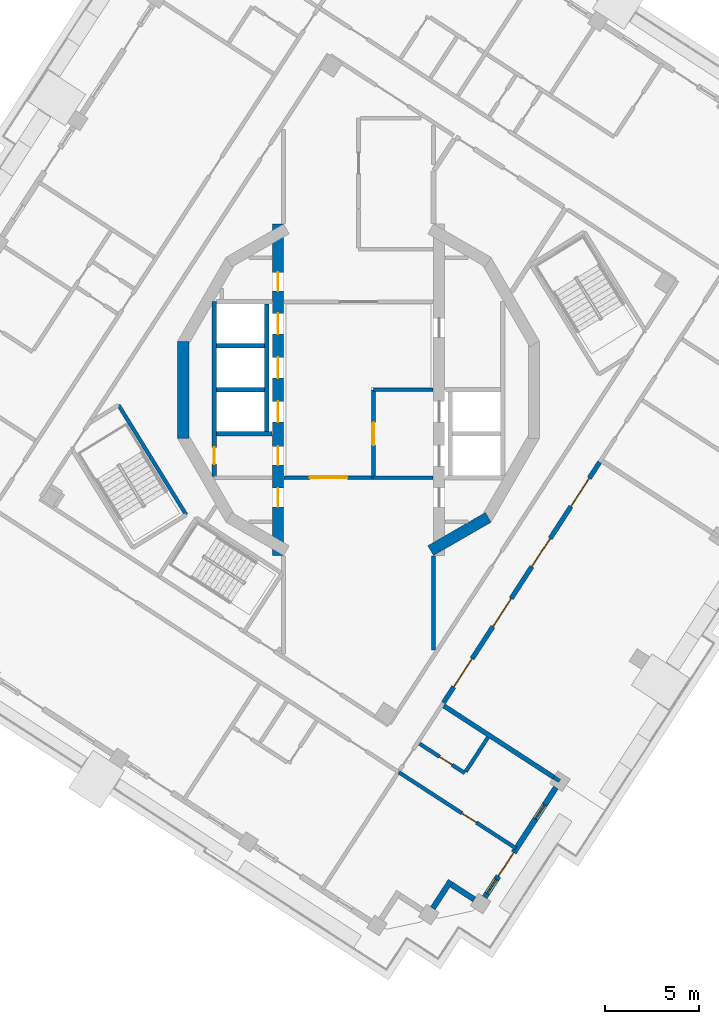
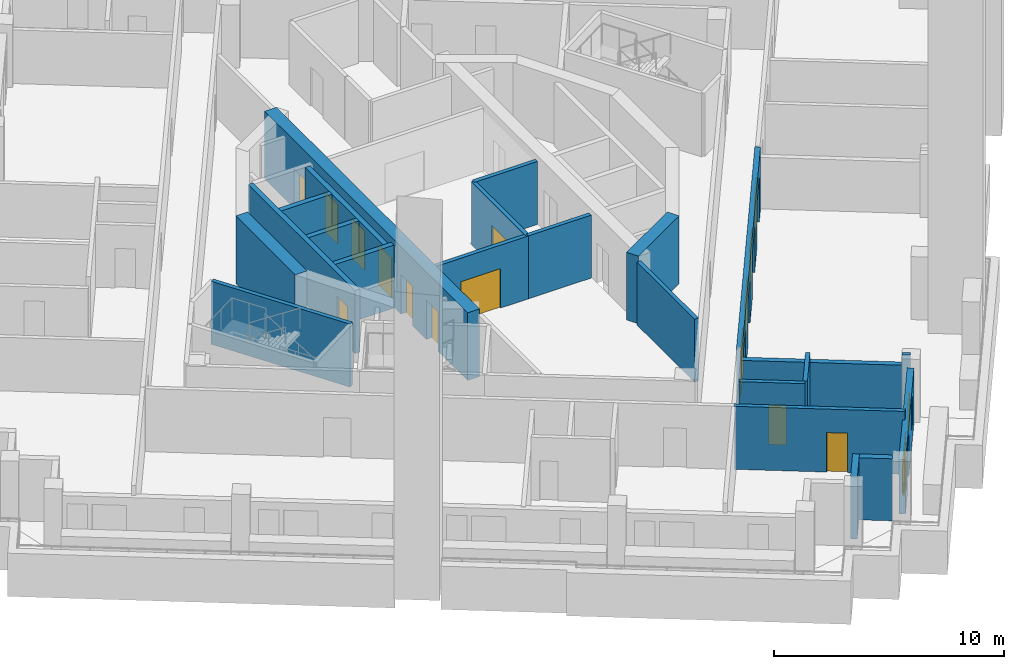
# One storey, part 4 of 15: 23 walls, 16 doors, 2 windows, 18 openings.
"""IFC4 building model written with IfcOpenShell, lengths in metres."""

from ifc_helpers import new_model, si_unit, direction, frame, frame_2d, origin, place, context, subcontext, project, spatial, rectangle, extrude, material, layer, layer_set, type_object, element, fill, save


model = new_model("IFC4")

# Units and contexts
model_context = context("Model", 3, precision=1e-05, world=origin(), true_north=direction((0.0, 1.0)))
body_context = subcontext(model_context, "Body", "Model", "MODEL_VIEW")
ifc_project = project(units=[si_unit("LENGTHUNIT", "METRE"), si_unit("AREAUNIT", "SQUARE_METRE"), si_unit("VOLUMEUNIT", "CUBIC_METRE"), si_unit("PLANEANGLEUNIT", "RADIAN"), si_unit("MASSUNIT", "GRAM", prefix="KILO")], contexts=[model_context])

# Site, building, storey
site_placement = place(None, origin())
site = spatial("IfcSite", under=ifc_project, at=site_placement, CompositionType="ELEMENT")
building_placement = place(site_placement, origin())
building = spatial("IfcBuilding", under=site, at=building_placement, Name="Cantera Rosa Tower", CompositionType="ELEMENT")
storey_placement = place(building_placement, frame((0.0, 0.0, 250.5)))
storey = spatial("IfcBuildingStorey", under=building, at=storey_placement, Name="L55", CompositionType="ELEMENT", Elevation=250.5)

# Wall, opening, door
ifc_material_1 = material(Name="Gypsum board partition")
ifc_layer_1 = layer(ifc_material_1, 0.199951171875)
ifc_layer_set_1 = layer_set([ifc_layer_1], Name="CORRIDOR WALL 200 H3350")
wall_type_1 = type_object("IfcWallType", Name="CORRIDOR WALL 200 H3350", PredefinedType="PARTITIONING", material=ifc_layer_set_1)
wall_1_placement = place(storey_placement, frame((0.800048828125, -4.699951171875, 0.0), z_axis=(0.0, 0.0, 1.0), x_axis=(-1.0, 0.0, 0.0)))
wall_1 = element("IfcWall", 1, at=wall_1_placement, inside=storey, type_object=wall_type_1, Name="CORRIDOR WALL L55-054", PredefinedType="PARTITIONING", context=body_context, shape_type="SweptSolid", body=[
    extrude(rectangle(XDim=4.77001953125, YDim=0.199951171875, at=frame_2d((2.385009765625, 0.0))), origin(), (0.0, 0.0, 1.0), 3.35009765625),
])
opening_1_placement = place(wall_1_placement, frame((1.39990234375, 0.0, 0.0)))
opening_1 = element("IfcOpeningElement", 2, at=opening_1_placement, cuts=wall_1, Name="Opening L55-011", PredefinedType="OPENING", context=body_context, shape_type="SweptSolid", body=[
    extrude(rectangle(XDim=2.0, YDim=2.10009765625, at=frame_2d((1.0, 1.050048828125))), frame((0.0, 0.10986328125, 0.0), z_axis=(0.0, -1.0, 0.0), x_axis=(1.0, 0.0, 0.0)), (0.0, 0.0, 1.0), 0.219970703125),
])
ifc_material_2 = material(Name="Steel S355J2 (EN 10025-2)", Category="steel")
door_type_1 = type_object("IfcDoorType", Name="LOBBY SCREEN DOOR 2000x2100", OperationType="NOTDEFINED", PredefinedType="DOOR", material=ifc_material_2)
door_1_placement = place(opening_1_placement, origin())
door_1 = element("IfcDoor", 3, at=door_1_placement, inside=storey, type_object=door_type_1, Name="DOOR L55-011", OperationType="NOTDEFINED", OverallHeight=2.10009765625, OverallWidth=2.0, PredefinedType="DOOR", context=body_context, shape_type="SweptSolid", body=[
    extrude(rectangle(XDim=2.0, YDim=2.10009765625, at=frame_2d((1.0, 1.050048828125))), frame((0.0, 0.02490234375, 0.0), z_axis=(0.0, -1.0, 0.0), x_axis=(1.0, 0.0, 0.0)), (0.0, 0.0, 1.0), 0.050048828125),
])
fill(opening_1, door_1)

# Walls
wall_2_placement = place(storey_placement, frame((4.0, -13.90087890625, 0.0), z_axis=(0.0, 0.0, 1.0), x_axis=(0.0, 1.0, 0.0)))
element("IfcWall", 4, at=wall_2_placement, inside=storey, type_object=wall_type_1, Name="CORRIDOR WALL L55-066", PredefinedType="PARTITIONING", context=body_context, shape_type="SweptSolid", body=[
    extrude(rectangle(XDim=5.02197265625, YDim=0.199951171875, at=frame_2d((2.510986328125, 0.0))), origin(), (0.0, 0.0, 1.0), 3.35009765625),
])
ifc_material_3 = material(Name="Hollow clay masonry with cantera stone cladding", Category="masonry")
ifc_layer_2 = layer(ifc_material_3, 0.300048828125)
ifc_layer_set_2 = layer_set([ifc_layer_2], Name="EW-LOGGIA 300")
wall_type_2 = type_object("IfcWallType", Name="EW-LOGGIA 300", PredefinedType="SOLIDWALL", material=ifc_layer_set_2)
wall_3_placement = place(storey_placement, frame((3.966796875, -27.67529296875, 0.0), z_axis=(0.0, 0.0, 1.0), x_axis=(0.544679362749, 0.83864437743, 0.0)))
element("IfcWall", 5, at=wall_3_placement, inside=storey, type_object=wall_type_2, Name="EN-L55-W19a", PredefinedType="SOLIDWALL", context=body_context, shape_type="SweptSolid", body=[
    extrude(rectangle(XDim=1.75, YDim=0.300048828125, at=frame_2d((0.875, 0.0))), origin(), (0.0, 0.0, 1.0), 3.300048828125),
])
wall_4_placement = place(storey_placement, frame((4.964111328125, -26.415283203125, 0.0), z_axis=(0.0, 0.0, 1.0), x_axis=(0.838724343483, -0.544556218997, 0.0)))
element("IfcWall", 6, at=wall_4_placement, inside=storey, type_object=wall_type_2, Name="EN-L55-W19b", PredefinedType="SOLIDWALL", context=body_context, shape_type="SweptSolid", body=[
    extrude(rectangle(XDim=1.449951171875, YDim=0.300048828125, at=frame_2d((0.72509765625, 0.0))), origin(), (0.0, 0.0, 1.0), 3.300048828125),
])

# Wall, openings, windows, door
ifc_material_4 = material(Name="Hollow clay masonry with cantera stone cladding", Category="masonry")
ifc_layer_3 = layer(ifc_material_4, 0.300048828125)
ifc_layer_set_3 = layer_set([ifc_layer_3], Name="EW-LOGGIA 300 H2890")
wall_type_3 = type_object("IfcWallType", Name="EW-LOGGIA 300 H2890", PredefinedType="SOLIDWALL", material=ifc_layer_set_3)
wall_5_placement = place(storey_placement, frame((6.7333984375, -27.08740234375, 0.0), z_axis=(0.0, 0.0, 1.0), x_axis=(0.544651451949, 0.838662504164, 0.0)))
wall_5 = element("IfcWall", 7, at=wall_5_placement, inside=storey, type_object=wall_type_3, Name="EN-L55-W20", PredefinedType="SOLIDWALL", context=body_context, shape_type="SweptSolid", body=[
    extrude(rectangle(XDim=6.980224609375, YDim=0.300048828125, at=frame_2d((3.490234375, 0.0))), origin(), (0.0, 0.0, 1.0), 2.889892578125),
])
opening_2_placement = place(wall_5_placement, frame((0.2451171875, 0.0, 0.89990234375)))
opening_2 = element("IfcOpeningElement", 8, at=opening_2_placement, cuts=wall_5, Name="Opening L55-W40", PredefinedType="OPENING", context=body_context, shape_type="SweptSolid", body=[
    extrude(rectangle(XDim=0.89990234375, YDim=1.5, at=frame_2d((0.449951171875, 0.75))), frame((0.0, 0.159912109375, 0.0), z_axis=(0.0, -1.0, 0.0), x_axis=(1.0, 0.0, 0.0)), (0.0, 0.0, 1.0), 0.320068359375),
])
opening_3_placement = place(wall_5_placement, frame((1.344970703125, 0.0, 0.0)))
opening_3 = element("IfcOpeningElement", 9, at=opening_3_placement, cuts=wall_5, Name="Opening L55-TD41", PredefinedType="OPENING", context=body_context, shape_type="SweptSolid", body=[
    extrude(rectangle(XDim=1.5, YDim=2.39990234375, at=frame_2d((0.75, 1.199951171875))), frame((0.0, 0.159912109375, 0.0), z_axis=(0.0, -1.0, 0.0), x_axis=(1.0, 0.0, 0.0)), (0.0, 0.0, 1.0), 0.320068359375),
])
opening_4_placement = place(wall_5_placement, frame((4.985107421875, 0.0, 0.89990234375)))
opening_4 = element("IfcOpeningElement", 10, at=opening_4_placement, cuts=wall_5, Name="Opening L55-W42", PredefinedType="OPENING", context=body_context, shape_type="SweptSolid", body=[
    extrude(rectangle(XDim=0.89990234375, YDim=1.5, at=frame_2d((0.449951171875, 0.75))), frame((0.0, 0.159912109375, 0.0), z_axis=(0.0, -1.0, 0.0), x_axis=(1.0, 0.0, 0.0)), (0.0, 0.0, 1.0), 0.320068359375),
])
ifc_material_5 = material(Name="Aluminium frame with clear glass", Category="aluminium")
window_type = type_object("IfcWindowType", Name="Residential window 900x1500", PartitioningType="SINGLE_PANEL", PredefinedType="WINDOW", material=ifc_material_5)
window_1_placement = place(opening_2_placement, origin())
window_1 = element("IfcWindow", 11, at=window_1_placement, inside=storey, type_object=window_type, Name="WINDOW L55-W40", OverallHeight=1.5, OverallWidth=0.89990234375, PartitioningType="SINGLE_PANEL", PredefinedType="WINDOW", context=body_context, shape_type="SweptSolid", body=[
    extrude(rectangle(XDim=0.89990234375, YDim=1.5, at=frame_2d((0.449951171875, 0.75))), frame((0.0, 0.030029296875, 0.0), z_axis=(0.0, -1.0, 0.0), x_axis=(1.0, 0.0, 0.0)), (0.0, 0.0, 1.0), 0.06005859375),
])
fill(opening_2, window_1)
window_2_placement = place(opening_4_placement, origin())
window_2 = element("IfcWindow", 12, at=window_2_placement, inside=storey, type_object=window_type, Name="WINDOW L55-W42", OverallHeight=1.5, OverallWidth=0.89990234375, PartitioningType="SINGLE_PANEL", PredefinedType="WINDOW", context=body_context, shape_type="SweptSolid", body=[
    extrude(rectangle(XDim=0.89990234375, YDim=1.5, at=frame_2d((0.449951171875, 0.75))), frame((0.0, 0.030029296875, 0.0), z_axis=(0.0, -1.0, 0.0), x_axis=(1.0, 0.0, 0.0)), (0.0, 0.0, 1.0), 0.06005859375),
])
fill(opening_4, window_2)
ifc_material_6 = material(Name="Aluminium frame with clear glass", Category="aluminium")
door_type_2 = type_object("IfcDoorType", Name="TD-R 1500x2400", OperationType="NOTDEFINED", PredefinedType="DOOR", material=ifc_material_6)
door_2_placement = place(opening_3_placement, origin())
door_2 = element("IfcDoor", 13, at=door_2_placement, inside=storey, type_object=door_type_2, Name="LOGGIA DOOR L55-TD41", OperationType="SLIDING_TO_LEFT", OverallHeight=2.39990234375, OverallWidth=1.5, PredefinedType="DOOR", context=body_context, shape_type="SweptSolid", body=[
    extrude(rectangle(XDim=1.5, YDim=2.39990234375, at=frame_2d((0.75, 1.199951171875))), frame((0.0, 0.02490234375, 0.0), z_axis=(0.0, -1.0, 0.0), x_axis=(1.0, 0.0, 0.0)), (0.0, 0.0, 1.0), 0.050048828125),
])
fill(opening_3, door_2)

# Wall
ifc_material_7 = material(Name="Concrete C40/50", Category="concrete")
ifc_layer_4 = layer(ifc_material_7, 0.25)
ifc_layer_set_4 = layer_set([ifc_layer_4], Name="EW-POCKET CHEEK 250 H2820")
wall_type_4 = type_object("IfcWallType", Name="EW-POCKET CHEEK 250 H2820", PredefinedType="SOLIDWALL", material=ifc_layer_set_4)
wall_6_placement = place(storey_placement, frame((10.41748046875, -20.68017578125, 0.0), z_axis=(0.0, 0.0, 1.0), x_axis=(-0.838665071449, 0.544647498784, 0.0)))
element("IfcWall", 14, at=wall_6_placement, inside=storey, type_object=wall_type_4, Name="POCKET CHEEK A L55", PredefinedType="SOLIDWALL", context=body_context, shape_type="SweptSolid", body=[
    extrude(rectangle(XDim=7.0, YDim=0.25, at=frame_2d((3.5, 0.0))), origin(), (0.0, 0.0, 1.0), 2.820068359375),
])

# Wall, openings, doors
ifc_material_8 = material(Name="Hollow clay masonry with cantera stone cladding", Category="masonry")
ifc_layer_5 = layer(ifc_material_8, 0.25)
ifc_layer_set_5 = layer_set([ifc_layer_5], Name="EW-POCKET REAR 250")
wall_type_5 = type_object("IfcWallType", Name="EW-POCKET REAR 250", PredefinedType="SOLIDWALL", material=ifc_layer_set_5)
wall_7_placement = place(storey_placement, frame((4.531005859375, -16.708251953125, 0.0), z_axis=(0.0, 0.0, 1.0), x_axis=(0.544635742494, 0.838672706125, 0.0)))
wall_7 = element("IfcWall", 15, at=wall_7_placement, inside=storey, type_object=wall_type_5, Name="POCKET REAR L55", PredefinedType="SOLIDWALL", context=body_context, shape_type="SweptSolid", body=[
    extrude(rectangle(XDim=15.31005859375, YDim=0.25, at=frame_2d((7.655029296875, 0.0))), origin(), (0.0, 0.0, 1.0), 3.300048828125),
])
opening_5_placement = place(wall_7_placement, frame((1.013671875, 0.0, 0.0)))
opening_5 = element("IfcOpeningElement", 16, at=opening_5_placement, cuts=wall_7, Name="Opening L55-LT01", PredefinedType="OPENING", context=body_context, shape_type="SweptSolid", body=[
    extrude(rectangle(XDim=1.800048828125, YDim=2.39990234375, at=frame_2d((0.89990234375, 1.199951171875))), frame((0.0, 0.135009765625, 0.0), z_axis=(0.0, -1.0, 0.0), x_axis=(1.0, 0.0, 0.0)), (0.0, 0.0, 1.0), 0.27001953125),
])
opening_6_placement = place(wall_7_placement, frame((4.84130859375, 0.0, 0.0)))
opening_6 = element("IfcOpeningElement", 17, at=opening_6_placement, cuts=wall_7, Name="Opening L55-LT02", PredefinedType="OPENING", context=body_context, shape_type="SweptSolid", body=[
    extrude(rectangle(XDim=1.800048828125, YDim=2.39990234375, at=frame_2d((0.89990234375, 1.199951171875))), frame((0.0, 0.135009765625, 0.0), z_axis=(0.0, -1.0, 0.0), x_axis=(1.0, 0.0, 0.0)), (0.0, 0.0, 1.0), 0.27001953125),
])
opening_7_placement = place(wall_7_placement, frame((8.668701171875, 0.0, 0.0)))
opening_7 = element("IfcOpeningElement", 18, at=opening_7_placement, cuts=wall_7, Name="Opening L55-LT03", PredefinedType="OPENING", context=body_context, shape_type="SweptSolid", body=[
    extrude(rectangle(XDim=1.800048828125, YDim=2.39990234375, at=frame_2d((0.89990234375, 1.199951171875))), frame((0.0, 0.135009765625, 0.0), z_axis=(0.0, -1.0, 0.0), x_axis=(1.0, 0.0, 0.0)), (0.0, 0.0, 1.0), 0.27001953125),
])
opening_8_placement = place(wall_7_placement, frame((12.496337890625, 0.0, 0.0)))
opening_8 = element("IfcOpeningElement", 19, at=opening_8_placement, cuts=wall_7, Name="Opening L55-LT04", PredefinedType="OPENING", context=body_context, shape_type="SweptSolid", body=[
    extrude(rectangle(XDim=1.800048828125, YDim=2.39990234375, at=frame_2d((0.89990234375, 1.199951171875))), frame((0.0, 0.135009765625, 0.0), z_axis=(0.0, -1.0, 0.0), x_axis=(1.0, 0.0, 0.0)), (0.0, 0.0, 1.0), 0.27001953125),
])
ifc_material_9 = material(Name="Aluminium frame with clear glass", Category="aluminium")
door_type_3 = type_object("IfcDoorType", Name="TD-T 1800x2400", OperationType="NOTDEFINED", PredefinedType="DOOR", material=ifc_material_9)
door_3_placement = place(opening_5_placement, origin())
door_3 = element("IfcDoor", 20, at=door_3_placement, inside=storey, type_object=door_type_3, Name="TERRACE DOOR L55-LT01", OperationType="DOUBLE_DOOR_SINGLE_SWING", OverallHeight=2.39990234375, OverallWidth=1.800048828125, PredefinedType="DOOR", context=body_context, shape_type="SweptSolid", body=[
    extrude(rectangle(XDim=1.800048828125, YDim=2.39990234375, at=frame_2d((0.89990234375, 1.199951171875))), frame((0.0, 0.02490234375, 0.0), z_axis=(0.0, -1.0, 0.0), x_axis=(1.0, 0.0, 0.0)), (0.0, 0.0, 1.0), 0.050048828125),
])
fill(opening_5, door_3)
door_4_placement = place(opening_6_placement, origin())
door_4 = element("IfcDoor", 21, at=door_4_placement, inside=storey, type_object=door_type_3, Name="TERRACE DOOR L55-LT02", OperationType="DOUBLE_DOOR_SINGLE_SWING", OverallHeight=2.39990234375, OverallWidth=1.800048828125, PredefinedType="DOOR", context=body_context, shape_type="SweptSolid", body=[
    extrude(rectangle(XDim=1.800048828125, YDim=2.39990234375, at=frame_2d((0.89990234375, 1.199951171875))), frame((0.0, 0.02490234375, 0.0), z_axis=(0.0, -1.0, 0.0), x_axis=(1.0, 0.0, 0.0)), (0.0, 0.0, 1.0), 0.050048828125),
])
fill(opening_6, door_4)
door_5_placement = place(opening_7_placement, origin())
door_5 = element("IfcDoor", 22, at=door_5_placement, inside=storey, type_object=door_type_3, Name="TERRACE DOOR L55-LT03", OperationType="DOUBLE_DOOR_SINGLE_SWING", OverallHeight=2.39990234375, OverallWidth=1.800048828125, PredefinedType="DOOR", context=body_context, shape_type="SweptSolid", body=[
    extrude(rectangle(XDim=1.800048828125, YDim=2.39990234375, at=frame_2d((0.89990234375, 1.199951171875))), frame((0.0, 0.02490234375, 0.0), z_axis=(0.0, -1.0, 0.0), x_axis=(1.0, 0.0, 0.0)), (0.0, 0.0, 1.0), 0.050048828125),
])
fill(opening_7, door_5)
door_6_placement = place(opening_8_placement, origin())
door_6 = element("IfcDoor", 23, at=door_6_placement, inside=storey, type_object=door_type_3, Name="TERRACE DOOR L55-LT04", OperationType="DOUBLE_DOOR_SINGLE_SWING", OverallHeight=2.39990234375, OverallWidth=1.800048828125, PredefinedType="DOOR", context=body_context, shape_type="SweptSolid", body=[
    extrude(rectangle(XDim=1.800048828125, YDim=2.39990234375, at=frame_2d((0.89990234375, 1.199951171875))), frame((0.0, 0.02490234375, 0.0), z_axis=(0.0, -1.0, 0.0), x_axis=(1.0, 0.0, 0.0)), (0.0, 0.0, 1.0), 0.050048828125),
])
fill(opening_8, door_6)

# Wall, opening, door
ifc_material_10 = material(Name="Gypsum board partition")
ifc_layer_6 = layer(ifc_material_10, 0.199951171875)
ifc_layer_set_6 = layer_set([ifc_layer_6], Name="PARTITION 200 H3350")
wall_type_6 = type_object("IfcWallType", Name="PARTITION 200 H3350", PredefinedType="PARTITIONING", material=ifc_layer_set_6)
wall_8_placement = place(storey_placement, frame((2.148681640625, -20.41357421875, 0.0), z_axis=(0.0, 0.0, 1.0), x_axis=(0.83866516607, -0.544647353083, 0.0)))
wall_8 = element("IfcWall", 24, at=wall_8_placement, inside=storey, type_object=wall_type_6, Name="PARTITION L55-058", PredefinedType="PARTITIONING", context=body_context, shape_type="SweptSolid", body=[
    extrude(rectangle(XDim=7.449951171875, YDim=0.199951171875, at=frame_2d((3.72509765625, 0.0))), origin(), (0.0, 0.0, 1.0), 3.35009765625),
])
opening_9_placement = place(wall_8_placement, frame((4.030029296875, 0.0, 0.0)))
opening_9 = element("IfcOpeningElement", 25, at=opening_9_placement, cuts=wall_8, Name="Opening L55-045", PredefinedType="OPENING", context=body_context, shape_type="SweptSolid", body=[
    extrude(rectangle(XDim=0.89990234375, YDim=2.10009765625, at=frame_2d((0.449951171875, 1.050048828125))), frame((0.0, 0.10986328125, 0.0), z_axis=(0.0, -1.0, 0.0), x_axis=(1.0, 0.0, 0.0)), (0.0, 0.0, 1.0), 0.219970703125),
])
ifc_material_11 = material(Name="Timber door leaf", Category="wood")
door_type_4 = type_object("IfcDoorType", Name="ROOM DOOR 900x2100", OperationType="NOTDEFINED", PredefinedType="DOOR", material=ifc_material_11)
door_7_placement = place(opening_9_placement, origin())
door_7 = element("IfcDoor", 26, at=door_7_placement, inside=storey, type_object=door_type_4, Name="DOOR L55-045", OperationType="NOTDEFINED", OverallHeight=2.10009765625, OverallWidth=0.89990234375, PredefinedType="DOOR", context=body_context, shape_type="SweptSolid", body=[
    extrude(rectangle(XDim=0.89990234375, YDim=2.10009765625, at=frame_2d((0.449951171875, 1.050048828125))), frame((0.0, 0.02490234375, 0.0), z_axis=(0.0, -1.0, 0.0), x_axis=(1.0, 0.0, 0.0)), (0.0, 0.0, 1.0), 0.050048828125),
])
fill(opening_9, door_7)

wall_9_placement = place(storey_placement, frame((5.671875, -20.4599609375, 0.0), z_axis=(0.0, 0.0, 1.0), x_axis=(-0.838679811106, 0.544624801532, 0.0)))
wall_9 = element("IfcWall", 27, at=wall_9_placement, inside=storey, type_object=wall_type_6, Name="PARTITION L55-076", PredefinedType="PARTITIONING", context=body_context, shape_type="SweptSolid", body=[
    extrude(rectangle(XDim=2.880126953125, YDim=0.199951171875, at=frame_2d((1.43994140625, 0.0))), origin(), (0.0, 0.0, 1.0), 3.35009765625),
])
opening_10_placement = place(wall_9_placement, frame((0.800048828125, 0.0, 0.0)))
opening_10 = element("IfcOpeningElement", 28, at=opening_10_placement, cuts=wall_9, Name="Opening L55-044", PredefinedType="OPENING", context=body_context, shape_type="SweptSolid", body=[
    extrude(rectangle(XDim=0.800048828125, YDim=2.10009765625, at=frame_2d((0.39990234375, 1.050048828125))), frame((0.0, 0.10986328125, 0.0), z_axis=(0.0, -1.0, 0.0), x_axis=(1.0, 0.0, 0.0)), (0.0, 0.0, 1.0), 0.219970703125),
])
ifc_material_12 = material(Name="Timber door leaf", Category="wood")
door_type_5 = type_object("IfcDoorType", Name="BATHROOM DOOR 800x2100", OperationType="NOTDEFINED", PredefinedType="DOOR", material=ifc_material_12)
door_8_placement = place(opening_10_placement, origin())
door_8 = element("IfcDoor", 29, at=door_8_placement, inside=storey, type_object=door_type_5, Name="DOOR L55-044", OperationType="NOTDEFINED", OverallHeight=2.10009765625, OverallWidth=0.800048828125, PredefinedType="DOOR", context=body_context, shape_type="SweptSolid", body=[
    extrude(rectangle(XDim=0.800048828125, YDim=2.10009765625, at=frame_2d((0.39990234375, 1.050048828125))), frame((0.0, 0.02490234375, 0.0), z_axis=(0.0, -1.0, 0.0), x_axis=(1.0, 0.0, 0.0)), (0.0, 0.0, 1.0), 0.050048828125),
])
fill(opening_10, door_8)

# Walls
wall_10_placement = place(storey_placement, frame((6.905517578125, -18.560302734375, 0.0), z_axis=(0.0, 0.0, 1.0), x_axis=(-0.544667250138, -0.838652244156, 0.0)))
element("IfcWall", 30, at=wall_10_placement, inside=storey, type_object=wall_type_6, Name="PARTITION L55-078", PredefinedType="PARTITIONING", context=body_context, shape_type="SweptSolid", body=[
    extrude(rectangle(XDim=2.1650390625, YDim=0.199951171875, at=frame_2d((1.08251953125, 0.0))), origin(), (0.0, 0.0, 1.0), 3.35009765625),
])
ifc_material_13 = material(Name="Gypsum board partition")
ifc_layer_7 = layer(ifc_material_13, 0.199951171875)
ifc_layer_set_7 = layer_set([ifc_layer_7], Name="PARTY WALL 200 H3350")
wall_type_7 = type_object("IfcWallType", Name="PARTY WALL 200 H3350", PredefinedType="PARTITIONING", material=ifc_layer_set_7)
wall_11_placement = place(storey_placement, frame((10.41748046875, -20.68017578125, 0.0), z_axis=(0.0, 0.0, 1.0), x_axis=(0.838790236691, -0.544454716971, 0.0)))
element("IfcWall", 31, at=wall_11_placement, inside=storey, type_object=wall_type_7, Name="PARTY WALL L55-070", PredefinedType="PARTITIONING", context=body_context, shape_type="SweptSolid", body=[
    extrude(rectangle(XDim=0.369873046875, YDim=0.199951171875, at=frame_2d((0.18505859375, 0.0))), origin(), (0.0, 0.0, 1.0), 3.35009765625),
])
ifc_material_14 = material(Name="Concrete C50/60", Category="concrete")
ifc_layer_8 = layer(ifc_material_14, 0.60009765625)
ifc_layer_set_8 = layer_set([ifc_layer_8], Name="RC CORE WALL 600 C50/60")
wall_type_8 = type_object("IfcWallType", Name="RC CORE WALL 600 C50/60", PredefinedType="SHEAR", material=ifc_layer_set_8)
wall_12_placement = place(storey_placement, frame((-9.359375, -2.588134765625, 0.0), z_axis=(0.0, 0.0, 1.0), x_axis=(0.0, 1.0, 0.0)))
element("IfcWall", 32, at=wall_12_placement, inside=storey, type_object=wall_type_8, Name="CW-W3 L55", PredefinedType="SHEAR", context=body_context, shape_type="SweptSolid", body=[
    extrude(rectangle(XDim=5.17626953125, YDim=0.60009765625, at=frame_2d((2.588134765625, 0.0))), origin(), (0.0, 0.0, 1.0), 3.60009765625),
])

# Wall, openings, doors
wall_13_placement = place(storey_placement, frame((-4.300048828125, 8.84423828125, 0.0), z_axis=(0.0, 0.0, 1.0), x_axis=(0.0, -1.0, 0.0)))
wall_13 = element("IfcWall", 33, at=wall_13_placement, inside=storey, type_object=wall_type_8, Name="CW-W6 L55", PredefinedType="SHEAR", context=body_context, shape_type="SweptSolid", body=[
    extrude(rectangle(XDim=17.6884765625, YDim=0.60009765625, at=frame_2d((8.84423828125, 0.0))), origin(), (0.0, 0.0, 1.0), 3.60009765625),
])
opening_11_placement = place(wall_13_placement, frame((9.468994140625, 0.0, 0.0)))
opening_11 = element("IfcOpeningElement", 34, at=opening_11_placement, cuts=wall_13, Name="Opening LD-H1-L55", PredefinedType="OPENING", context=body_context, shape_type="SweptSolid", body=[
    extrude(rectangle(XDim=1.10009765625, YDim=2.10009765625, at=frame_2d((0.550048828125, 1.050048828125))), frame((0.0, 0.31005859375, 0.0), z_axis=(0.0, -1.0, 0.0), x_axis=(1.0, 0.0, 0.0)), (0.0, 0.0, 1.0), 0.6201171875),
])
opening_12_placement = place(wall_13_placement, frame((7.119140625, 0.0, 0.0)))
opening_12 = element("IfcOpeningElement", 35, at=opening_12_placement, cuts=wall_13, Name="Opening LD-H2-L55", PredefinedType="OPENING", context=body_context, shape_type="SweptSolid", body=[
    extrude(rectangle(XDim=1.10009765625, YDim=2.10009765625, at=frame_2d((0.550048828125, 1.050048828125))), frame((0.0, 0.31005859375, 0.0), z_axis=(0.0, -1.0, 0.0), x_axis=(1.0, 0.0, 0.0)), (0.0, 0.0, 1.0), 0.6201171875),
])
opening_13_placement = place(wall_13_placement, frame((4.76904296875, 0.0, 0.0)))
opening_13 = element("IfcOpeningElement", 36, at=opening_13_placement, cuts=wall_13, Name="Opening LD-H3-L55", PredefinedType="OPENING", context=body_context, shape_type="SweptSolid", body=[
    extrude(rectangle(XDim=1.10009765625, YDim=2.10009765625, at=frame_2d((0.550048828125, 1.050048828125))), frame((0.0, 0.31005859375, 0.0), z_axis=(0.0, -1.0, 0.0), x_axis=(1.0, 0.0, 0.0)), (0.0, 0.0, 1.0), 0.6201171875),
])
opening_14_placement = place(wall_13_placement, frame((14.091552734375, 0.0, 0.0)))
opening_14 = element("IfcOpeningElement", 37, at=opening_14_placement, cuts=wall_13, Name="Opening SD-L55-14", PredefinedType="OPENING", context=body_context, shape_type="SweptSolid", body=[
    extrude(rectangle(XDim=1.0, YDim=2.10009765625, at=frame_2d((0.5, 1.050048828125))), frame((0.0, 0.31005859375, 0.0), z_axis=(0.0, -1.0, 0.0), x_axis=(1.0, 0.0, 0.0)), (0.0, 0.0, 1.0), 0.6201171875),
])
opening_15_placement = place(wall_13_placement, frame((2.572265625, 0.0, 0.0)))
opening_15 = element("IfcOpeningElement", 38, at=opening_15_placement, cuts=wall_13, Name="Opening SD-L55-15", PredefinedType="OPENING", context=body_context, shape_type="SweptSolid", body=[
    extrude(rectangle(XDim=1.0, YDim=2.10009765625, at=frame_2d((0.5, 1.050048828125))), frame((0.0, 0.31005859375, 0.0), z_axis=(0.0, -1.0, 0.0), x_axis=(1.0, 0.0, 0.0)), (0.0, 0.0, 1.0), 0.6201171875),
])
opening_16_placement = place(wall_13_placement, frame((11.869140625, 0.0, 0.0)))
opening_16 = element("IfcOpeningElement", 39, at=opening_16_placement, cuts=wall_13, Name="Opening SD-L55-16", PredefinedType="OPENING", context=body_context, shape_type="SweptSolid", body=[
    extrude(rectangle(XDim=1.0, YDim=2.10009765625, at=frame_2d((0.5, 1.050048828125))), frame((0.0, 0.31005859375, 0.0), z_axis=(0.0, -1.0, 0.0), x_axis=(1.0, 0.0, 0.0)), (0.0, 0.0, 1.0), 0.6201171875),
])
ifc_material_15 = material(Name="Steel S355J2 (EN 10025-2)", Category="steel")
door_type_6 = type_object("IfcDoorType", Name="LANDING DOOR 1100x2100", OperationType="NOTDEFINED", PredefinedType="DOOR", material=ifc_material_15)
door_9_placement = place(opening_11_placement, origin())
door_9 = element("IfcDoor", 40, at=door_9_placement, inside=storey, type_object=door_type_6, Name="LANDING DOOR H1 L55", OperationType="SLIDING_TO_LEFT", OverallHeight=2.10009765625, OverallWidth=1.10009765625, PredefinedType="DOOR", context=body_context, shape_type="SweptSolid", body=[
    extrude(rectangle(XDim=1.10009765625, YDim=2.10009765625, at=frame_2d((0.550048828125, 1.050048828125))), frame((0.0, 0.02490234375, 0.0), z_axis=(0.0, -1.0, 0.0), x_axis=(1.0, 0.0, 0.0)), (0.0, 0.0, 1.0), 0.050048828125),
])
fill(opening_11, door_9)
door_10_placement = place(opening_12_placement, origin())
door_10 = element("IfcDoor", 41, at=door_10_placement, inside=storey, type_object=door_type_6, Name="LANDING DOOR H2 L55", OperationType="SLIDING_TO_LEFT", OverallHeight=2.10009765625, OverallWidth=1.10009765625, PredefinedType="DOOR", context=body_context, shape_type="SweptSolid", body=[
    extrude(rectangle(XDim=1.10009765625, YDim=2.10009765625, at=frame_2d((0.550048828125, 1.050048828125))), frame((0.0, 0.02490234375, 0.0), z_axis=(0.0, -1.0, 0.0), x_axis=(1.0, 0.0, 0.0)), (0.0, 0.0, 1.0), 0.050048828125),
])
fill(opening_12, door_10)
door_11_placement = place(opening_13_placement, origin())
door_11 = element("IfcDoor", 42, at=door_11_placement, inside=storey, type_object=door_type_6, Name="LANDING DOOR H3 L55", OperationType="SLIDING_TO_LEFT", OverallHeight=2.10009765625, OverallWidth=1.10009765625, PredefinedType="DOOR", context=body_context, shape_type="SweptSolid", body=[
    extrude(rectangle(XDim=1.10009765625, YDim=2.10009765625, at=frame_2d((0.550048828125, 1.050048828125))), frame((0.0, 0.02490234375, 0.0), z_axis=(0.0, -1.0, 0.0), x_axis=(1.0, 0.0, 0.0)), (0.0, 0.0, 1.0), 0.050048828125),
])
fill(opening_13, door_11)
ifc_material_16 = material(Name="Timber door leaf", Category="wood")
door_type_7 = type_object("IfcDoorType", Name="SERVICE DOOR 1000x2100", OperationType="NOTDEFINED", PredefinedType="DOOR", material=ifc_material_16)
door_12_placement = place(opening_14_placement, origin())
door_12 = element("IfcDoor", 43, at=door_12_placement, inside=storey, type_object=door_type_7, Name="DOOR L55-SD14", OperationType="NOTDEFINED", OverallHeight=2.10009765625, OverallWidth=1.0, PredefinedType="DOOR", context=body_context, shape_type="SweptSolid", body=[
    extrude(rectangle(XDim=1.0, YDim=2.10009765625, at=frame_2d((0.5, 1.050048828125))), frame((0.0, 0.02490234375, 0.0), z_axis=(0.0, -1.0, 0.0), x_axis=(1.0, 0.0, 0.0)), (0.0, 0.0, 1.0), 0.050048828125),
])
fill(opening_14, door_12)
door_13_placement = place(opening_15_placement, origin())
door_13 = element("IfcDoor", 44, at=door_13_placement, inside=storey, type_object=door_type_7, Name="DOOR L55-SD15", OperationType="NOTDEFINED", OverallHeight=2.10009765625, OverallWidth=1.0, PredefinedType="DOOR", context=body_context, shape_type="SweptSolid", body=[
    extrude(rectangle(XDim=1.0, YDim=2.10009765625, at=frame_2d((0.5, 1.050048828125))), frame((0.0, 0.02490234375, 0.0), z_axis=(0.0, -1.0, 0.0), x_axis=(1.0, 0.0, 0.0)), (0.0, 0.0, 1.0), 0.050048828125),
])
fill(opening_15, door_13)
door_14_placement = place(opening_16_placement, origin())
door_14 = element("IfcDoor", 45, at=door_14_placement, inside=storey, type_object=door_type_7, Name="DOOR L55-SD16", OperationType="NOTDEFINED", OverallHeight=2.10009765625, OverallWidth=1.0, PredefinedType="DOOR", context=body_context, shape_type="SweptSolid", body=[
    extrude(rectangle(XDim=1.0, YDim=2.10009765625, at=frame_2d((0.5, 1.050048828125))), frame((0.0, 0.02490234375, 0.0), z_axis=(0.0, -1.0, 0.0), x_axis=(1.0, 0.0, 0.0)), (0.0, 0.0, 1.0), 0.050048828125),
])
fill(opening_16, door_14)

# Walls
wall_14_placement = place(storey_placement, frame((6.921142578125, -6.811279296875, 0.0), z_axis=(0.0, 0.0, 1.0), x_axis=(-0.866039982607, -0.499974747889, 0.0)))
element("IfcWall", 46, at=wall_14_placement, inside=storey, type_object=wall_type_8, Name="CW-E5 L55", PredefinedType="SHEAR", context=body_context, shape_type="SweptSolid", body=[
    extrude(rectangle(XDim=3.546142578125, YDim=0.60009765625, at=frame_2d((1.77294921875, 0.0))), origin(), (0.0, 0.0, 1.0), 3.60009765625),
])
ifc_material_17 = material(Name="Masonry blockwork", Category="masonry")
ifc_layer_9 = layer(ifc_material_17, 0.25)
ifc_layer_set_9 = layer_set([ifc_layer_9], Name="SHAFT WALL 250 H3350")
wall_type_9 = type_object("IfcWallType", Name="SHAFT WALL 250 H3350", PredefinedType="SOLIDWALL", material=ifc_layer_set_9)
for number, where, z_axis, x_axis, name in (
    (47, (-7.574951171875, 0.0, 0.0), (0.0, 0.0, 1.0), (1.0, 0.0, 0.0), "SHAFT WALL L55-023"),
    (48, (-7.574951171875, 2.35009765625, 0.0), (0.0, 0.0, 1.0), (1.0, 0.0, 0.0), "SHAFT WALL L55-024"),
):
    element("IfcWall", number, at=place(storey_placement, frame(where, z_axis=z_axis, x_axis=x_axis)), inside=storey, type_object=wall_type_9, Name=name, PredefinedType="SOLIDWALL", context=body_context, shape_type="SweptSolid", body=[
        extrude(rectangle(XDim=2.554931640625, YDim=0.25, at=frame_2d((1.27734375, 0.0))), origin(), (0.0, 0.0, 1.0), 3.35009765625),
    ])

# Wall, opening, door
wall_15_placement = place(storey_placement, frame((-7.699951171875, 4.699951171875, 0.0), z_axis=(0.0, 0.0, 1.0), x_axis=(0.0, -1.0, 0.0)))
wall_15 = element("IfcWall", 49, at=wall_15_placement, inside=storey, type_object=wall_type_9, Name="SHAFT WALL L55-025", PredefinedType="SOLIDWALL", context=body_context, shape_type="SweptSolid", body=[
    extrude(rectangle(XDim=9.320068359375, YDim=0.25, at=frame_2d((4.66015625, 0.0))), origin(), (0.0, 0.0, 1.0), 3.35009765625),
])
opening_17_placement = place(wall_15_placement, frame((7.7705078125, 0.0, 0.0)))
opening_17 = element("IfcOpeningElement", 50, at=opening_17_placement, cuts=wall_15, Name="Opening L55-049", PredefinedType="OPENING", context=body_context, shape_type="SweptSolid", body=[
    extrude(rectangle(XDim=0.89990234375, YDim=2.10009765625, at=frame_2d((0.449951171875, 1.050048828125))), frame((0.0, 0.135009765625, 0.0), z_axis=(0.0, -1.0, 0.0), x_axis=(1.0, 0.0, 0.0)), (0.0, 0.0, 1.0), 0.27001953125),
])
ifc_material_18 = material(Name="Timber door leaf", Category="wood")
door_type_8 = type_object("IfcDoorType", Name="SERVICE DOOR 900x2100", OperationType="NOTDEFINED", PredefinedType="DOOR", material=ifc_material_18)
door_15_placement = place(opening_17_placement, origin())
door_15 = element("IfcDoor", 51, at=door_15_placement, inside=storey, type_object=door_type_8, Name="RISER DOOR L55-049", OperationType="NOTDEFINED", OverallHeight=2.10009765625, OverallWidth=0.89990234375, PredefinedType="DOOR", context=body_context, shape_type="SweptSolid", body=[
    extrude(rectangle(XDim=0.89990234375, YDim=2.10009765625, at=frame_2d((0.449951171875, 1.050048828125))), frame((0.0, 0.02490234375, 0.0), z_axis=(0.0, -1.0, 0.0), x_axis=(1.0, 0.0, 0.0)), (0.0, 0.0, 1.0), 0.050048828125),
])
fill(opening_17, door_15)

# Walls
wall_16_placement = place(storey_placement, frame((-4.89990234375, -2.22509765625, 0.0), z_axis=(0.0, 0.0, 1.0), x_axis=(0.0, 1.0, 0.0)))
element("IfcWall", 52, at=wall_16_placement, inside=storey, type_object=wall_type_9, Name="SHAFT WALL L55-035", PredefinedType="SOLIDWALL", context=body_context, shape_type="SweptSolid", body=[
    extrude(rectangle(XDim=6.800048828125, YDim=0.25, at=frame_2d((3.39990234375, 0.0))), origin(), (0.0, 0.0, 1.0), 3.35009765625),
])
wall_17_placement = place(storey_placement, frame((-4.6298828125, -2.35009765625, 0.0), z_axis=(0.0, 0.0, 1.0), x_axis=(-1.0, 0.0, 0.0)))
element("IfcWall", 53, at=wall_17_placement, inside=storey, type_object=wall_type_9, Name="SHAFT WALL L55-037", PredefinedType="SOLIDWALL", context=body_context, shape_type="SweptSolid", body=[
    extrude(rectangle(XDim=2.945068359375, YDim=0.25, at=frame_2d((1.47265625, 0.0))), origin(), (0.0, 0.0, 1.0), 3.35009765625),
])
ifc_material_19 = material(Name="Concrete C50/60", Category="concrete")
ifc_layer_10 = layer(ifc_material_19, 0.199951171875)
ifc_layer_set_10 = layer_set([ifc_layer_10], Name="STAIR WALL 200 H3350")
wall_type_10 = type_object("IfcWallType", Name="STAIR WALL 200 H3350", PredefinedType="SOLIDWALL", material=ifc_layer_set_10)
wall_18_placement = place(storey_placement, frame((-9.199462890625, -6.674072265625, 0.0), z_axis=(0.0, 0.0, 1.0), x_axis=(-0.524972254536, 0.851119340614, 0.0)))
element("IfcWall", 54, at=wall_18_placement, inside=storey, type_object=wall_type_10, Name="STAIR WALL L55-020", PredefinedType="SOLIDWALL", context=body_context, shape_type="SweptSolid", body=[
    extrude(rectangle(XDim=6.880126953125, YDim=0.199951171875, at=frame_2d((3.43994140625, 0.0))), origin(), (0.0, 0.0, 1.0), 3.35009765625),
])

# Wall, opening, door
wall_19_placement = place(storey_placement, frame((0.800048828125, -4.699951171875, 0.0), z_axis=(0.0, 0.0, 1.0), x_axis=(0.0, 1.0, 0.0)))
wall_19 = element("IfcWall", 55, at=wall_19_placement, inside=storey, type_object=wall_type_10, Name="STAIR WALL L55-055", PredefinedType="SOLIDWALL", context=body_context, shape_type="SweptSolid", body=[
    extrude(rectangle(XDim=4.699951171875, YDim=0.199951171875, at=frame_2d((2.35009765625, 0.0))), origin(), (0.0, 0.0, 1.0), 3.35009765625),
])
opening_18_placement = place(wall_19_placement, frame((1.75, 0.0, 0.0)))
opening_18 = element("IfcOpeningElement", 56, at=opening_18_placement, cuts=wall_19, Name="Opening L55-012", PredefinedType="OPENING", context=body_context, shape_type="SweptSolid", body=[
    extrude(rectangle(XDim=1.199951171875, YDim=2.10009765625, at=frame_2d((0.60009765625, 1.050048828125))), frame((0.0, 0.10986328125, 0.0), z_axis=(0.0, -1.0, 0.0), x_axis=(1.0, 0.0, 0.0)), (0.0, 0.0, 1.0), 0.219970703125),
])
ifc_material_20 = material(Name="Steel S355J2 (EN 10025-2)", Category="steel")
door_type_9 = type_object("IfcDoorType", Name="FIRE DOOR 1200x2100", OperationType="NOTDEFINED", PredefinedType="DOOR", material=ifc_material_20)
door_16_placement = place(opening_18_placement, origin())
door_16 = element("IfcDoor", 57, at=door_16_placement, inside=storey, type_object=door_type_9, Name="DOOR L55-012", OperationType="NOTDEFINED", OverallHeight=2.10009765625, OverallWidth=1.199951171875, PredefinedType="DOOR", context=body_context, shape_type="SweptSolid", body=[
    extrude(rectangle(XDim=1.199951171875, YDim=2.10009765625, at=frame_2d((0.60009765625, 1.050048828125))), frame((0.0, 0.02490234375, 0.0), z_axis=(0.0, -1.0, 0.0), x_axis=(1.0, 0.0, 0.0)), (0.0, 0.0, 1.0), 0.050048828125),
])
fill(opening_18, door_16)

# Walls
for number, where, z_axis, x_axis, name in (
    (58, (0.800048828125, 0.0, 0.0), (0.0, 0.0, 1.0), (1.0, 0.0, 0.0), "STAIR WALL L55-056"),
    (59, (3.969970703125, -4.699951171875, 0.0), (0.0, 0.0, 1.0), (-1.0, 0.0, 0.0), "STAIR WALL L55-065"),
):
    element("IfcWall", number, at=place(storey_placement, frame(where, z_axis=z_axis, x_axis=x_axis)), inside=storey, type_object=wall_type_10, Name=name, PredefinedType="SOLIDWALL", context=body_context, shape_type="SweptSolid", body=[
        extrude(rectangle(XDim=3.169921875, YDim=0.199951171875, at=frame_2d((1.5849609375, 0.0))), origin(), (0.0, 0.0, 1.0), 3.35009765625),
    ])

save(model, "model.ifc")
